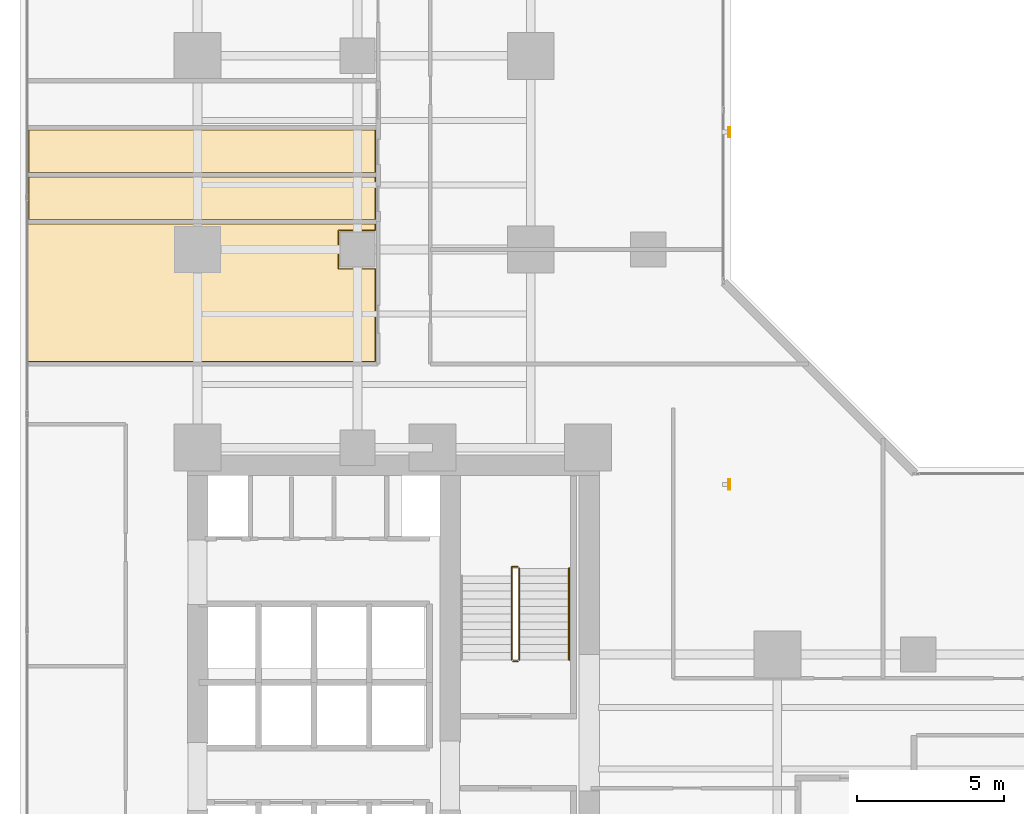
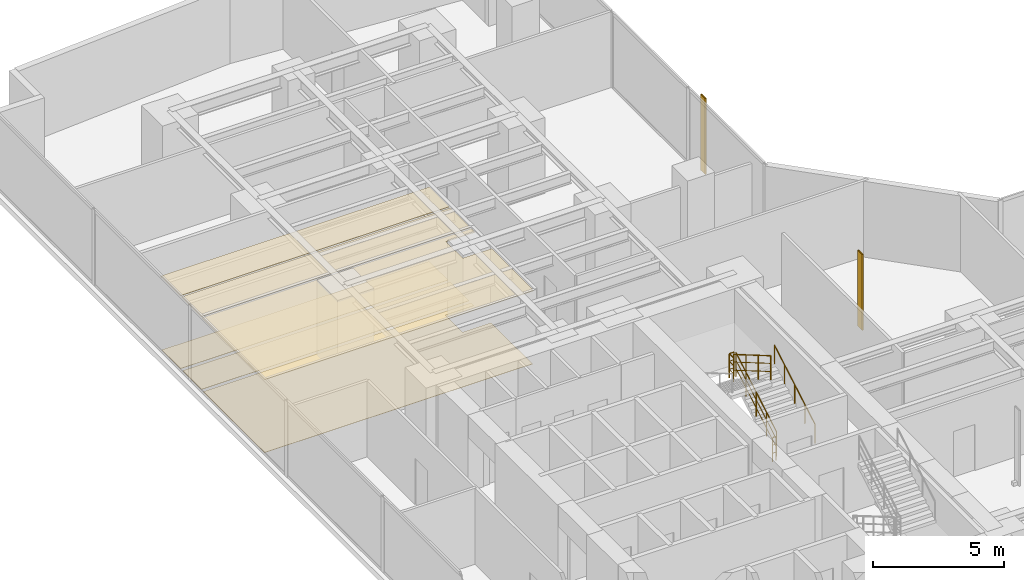
# One storey, part 26 of 26: 6 coverings, 5 railings, 2 shading devices.
"""IFC4 building model written with IfcOpenShell, lengths in metres."""

from ifc_helpers import new_model, si_unit, direction, frame, origin, origin_2d, place, context, subcontext, project, spatial, polyline, hollow_rectangle, circle, outline, extrude, material, layer, layer_set, material_profile, profile_set, type_object, element, save


model = new_model("IFC4")

# Units and contexts
model_context = context("Model", 3, precision=1e-05, world=origin(), true_north=direction((0.0, 1.0)))
body_context = subcontext(model_context, "Body", "Model", "MODEL_VIEW")
ifc_project = project(units=[si_unit("LENGTHUNIT", "METRE"), si_unit("AREAUNIT", "SQUARE_METRE"), si_unit("VOLUMEUNIT", "CUBIC_METRE"), si_unit("PLANEANGLEUNIT", "RADIAN"), si_unit("MASSUNIT", "GRAM", prefix="KILO")], contexts=[model_context])

# Site, building, storey
site_placement = place(None, origin())
site = spatial("IfcSite", under=ifc_project, at=site_placement, CompositionType="ELEMENT")
building_placement = place(site_placement, origin())
building = spatial("IfcBuilding", under=site, at=building_placement, Name="Kolvaren Waterfront Exchange", CompositionType="ELEMENT")
storey_placement = place(building_placement, frame((0.0, 0.0, 48.60009765625)))
storey = spatial("IfcBuildingStorey", under=building, at=storey_placement, Name="L12", CompositionType="ELEMENT", Elevation=48.60009765625)

# Coverings
ifc_material_1 = material(Name="Mineral fibre acoustic ceiling tile")
ifc_layer_1 = layer(ifc_material_1, 0.02490234375, Name="Mineral fibre acoustic ceiling tile")
ifc_layer_set_1 = layer_set([ifc_layer_1], Name="Mineral fibre acoustic ceiling tile")
covering_type_1 = type_object("IfcCoveringType", Name="ARC-CEIL-ACOUSTIC-25", PredefinedType="CEILING", material=ifc_layer_set_1)
covering_1_placement = place(storey_placement, frame((0.0, 0.0, 3.4248046875)))
element("IfcCovering", 1, at=covering_1_placement, inside=storey, type_object=covering_type_1, Name="L12 acoustic suspended ceiling 1", PredefinedType="CEILING", context=body_context, shape_type="SweptSolid", body=[
    extrude(outline(polyline([(13.534912109375, 30.56005859375), (12.260009765625, 30.56005859375), (12.260009765625, 31.840087890625), (13.534912109375, 31.840087890625), (13.534912109375, 32.10498046875), (1.64501953125, 32.10498046875), (1.64501953125, 27.344970703125), (13.534912109375, 27.344970703125), (13.534912109375, 30.56005859375)])), origin(), (0.0, 0.0, 1.0), 0.025146484375),
])
covering_2_placement = place(storey_placement, frame((0.0, 0.0, 3.4248046875)))
element("IfcCovering", 2, at=covering_2_placement, inside=storey, type_object=covering_type_1, Name="L12 acoustic suspended ceiling 2", PredefinedType="CEILING", context=body_context, shape_type="SweptSolid", body=[
    extrude(outline(polyline([(13.534912109375, 32.195068359375), (13.534912109375, 33.705078125), (1.6650390625, 33.705078125), (1.6650390625, 32.195068359375), (13.534912109375, 32.195068359375)])), origin(), (0.0, 0.0, 1.0), 0.025146484375),
])
covering_3_placement = place(storey_placement, frame((0.0, 0.0, 3.4248046875)))
element("IfcCovering", 3, at=covering_3_placement, inside=storey, type_object=covering_type_1, Name="L12 acoustic suspended ceiling 3", PredefinedType="CEILING", context=body_context, shape_type="SweptSolid", body=[
    extrude(outline(polyline([(13.534912109375, 33.794921875), (13.534912109375, 35.304931640625), (1.6650390625, 35.304931640625), (1.6650390625, 33.794921875), (13.534912109375, 33.794921875)])), origin(), (0.0, 0.0, 1.0), 0.025146484375),
])

# Shading devices
ifc_material_2 = material(Name="Anodised bronze aluminium 6063-T6", Category="aluminium")
ifc_material_profile = material_profile(ifc_material_2, hollow_rectangle(XDim=0.06005859375, YDim=0.35009765625, WallThickness=0.0048828125, at=origin_2d()), Name="BRZ-FIN-350x60x5")
ifc_profile_set = profile_set([ifc_material_profile], Name="Anodised bronze aluminium 6063-T6")
shading_device_type = type_object("IfcShadingDeviceType", Name="ARC-FIN-350", PredefinedType="USERDEFINED", material=ifc_profile_set)
for number, where, z_axis, x_axis, name in (
    (4, (25.56005859375, 23.199951171875, 0.0), (0.0, 0.0, 1.0), (1.0, 0.0, 0.0), "L12 anodised bronze solar shading fin FIN-L12-E2"),
    (5, (25.56005859375, 35.199951171875, 0.0), (0.0, 0.0, 1.0), (1.0, 0.0, 0.0), "L12 anodised bronze solar shading fin FIN-L12-E3"),
):
    element("IfcShadingDevice", number, at=place(storey_placement, frame(where, z_axis=z_axis, x_axis=x_axis)), inside=storey, type_object=shading_device_type, Name=name, ObjectType="SOLAR FIN", PredefinedType="USERDEFINED", context=body_context, shape_type="SweptSolid", body=[
        extrude(hollow_rectangle(XDim=0.06005859375, YDim=0.35009765625, WallThickness=0.0048828125, at=origin_2d()), origin(), (0.0, 0.0, 1.0), 3.539794921875),
    ])

# Coverings
ifc_material_3 = material(Name="Slip-resistant porcelain tile")
ifc_layer_2 = layer(ifc_material_3, 0.014892578125, Name="Slip-resistant porcelain tile")
ifc_layer_set_2 = layer_set([ifc_layer_2], Name="Slip-resistant porcelain tile")
covering_type_2 = type_object("IfcCoveringType", Name="ARC-FLR-PORC-15", PredefinedType="FLOORING", material=ifc_layer_set_2)
covering_4_placement = place(storey_placement, origin())
element("IfcCovering", 6, at=covering_4_placement, inside=storey, type_object=covering_type_2, Name="L12 floor finish 1", PredefinedType="FLOORING", context=body_context, shape_type="SweptSolid", body=[
    extrude(outline(polyline([(1.679931640625, 32.070068359375), (1.679931640625, 27.3798828125), (13.5, 27.3798828125), (13.5, 30.5400390625), (12.239990234375, 30.5400390625), (12.239990234375, 31.860107421875), (13.5, 31.860107421875), (13.5, 32.070068359375), (1.679931640625, 32.070068359375)])), origin(), (0.0, 0.0, 1.0), 0.014892578125),
])
covering_5_placement = place(storey_placement, origin())
element("IfcCovering", 7, at=covering_5_placement, inside=storey, type_object=covering_type_2, Name="L12 floor finish 2", PredefinedType="FLOORING", context=body_context, shape_type="SweptSolid", body=[
    extrude(outline(polyline([(1.699951171875, 33.669921875), (1.699951171875, 32.22998046875), (13.5, 32.22998046875), (13.5, 33.669921875), (1.699951171875, 33.669921875)])), origin(), (0.0, 0.0, 1.0), 0.014892578125),
])
covering_6_placement = place(storey_placement, origin())
element("IfcCovering", 8, at=covering_6_placement, inside=storey, type_object=covering_type_2, Name="L12 floor finish 3", PredefinedType="FLOORING", context=body_context, shape_type="SweptSolid", body=[
    extrude(outline(polyline([(1.699951171875, 35.27001953125), (1.699951171875, 33.830078125), (13.5, 33.830078125), (13.5, 35.27001953125), (1.699951171875, 35.27001953125)])), origin(), (0.0, 0.0, 1.0), 0.014892578125),
])

# Railings
ifc_material_4 = material(Name="Stainless steel 316", Category="steel")
railing_type_1 = type_object("IfcRailingType", Name="ARC-GUARD-STAIR", PredefinedType="GUARDRAIL", material=ifc_material_4)
railing_1_placement = place(storey_placement, frame((18.409912109375, 17.219970703125, 0.15185546875)))
element("IfcRailing", 9, at=railing_1_placement, inside=storey, type_object=railing_type_1, Name="L12 ST2 stair guard 1", PredefinedType="GUARDRAIL", context=body_context, shape_type="SweptSolid", body=[
    extrude(circle(Radius=0.02392578125, at=origin_2d()), frame((0.0, 0.0, 1.1259765625), z_axis=(0.0, 0.86330811405, 0.504677223793), x_axis=(-1.0, 0.0, 0.0)), (0.0, 0.0, 1.0), 3.6142578125),
    extrude(circle(Radius=0.01611328125, at=origin_2d()), frame((0.0, 0.0, 0.390869140625), z_axis=(0.0, 0.86330811405, 0.504677223793), x_axis=(-1.0, 0.0, 0.0)), (0.0, 0.0, 1.0), 3.6142578125),
    extrude(circle(Radius=0.01611328125, at=origin_2d()), frame((0.0, 0.0, 0.7705078125), z_axis=(0.0, 0.86330811405, 0.504677223793), x_axis=(-1.0, 0.0, 0.0)), (0.0, 0.0, 1.0), 3.6142578125),
    extrude(circle(Radius=0.02099609375, at=origin_2d()), origin(), (0.0, 0.0, 1.0), 1.101806640625),
    extrude(circle(Radius=0.02099609375, at=origin_2d()), frame((0.0, 0.780029296875, 0.4560546875)), (0.0, 0.0, 1.0), 1.101806640625),
    extrude(circle(Radius=0.02099609375, at=origin_2d()), frame((0.0, 1.56005859375, 0.912109375)), (0.0, 0.0, 1.0), 1.101806640625),
    extrude(circle(Radius=0.02099609375, at=origin_2d()), frame((0.0, 2.340087890625, 1.367919921875)), (0.0, 0.0, 1.0), 1.101806640625),
    extrude(circle(Radius=0.02099609375, at=origin_2d()), frame((0.0, 3.1201171875, 1.823974609375)), (0.0, 0.0, 1.0), 1.101806640625),
])
railing_2_placement = place(storey_placement, frame((18.360107421875, 20.389892578125, 1.975830078125)))
element("IfcRailing", 10, at=railing_2_placement, inside=storey, type_object=railing_type_1, Name="L12 ST2 stair guard 2", PredefinedType="GUARDRAIL", context=body_context, shape_type="SweptSolid", body=[
    extrude(circle(Radius=0.02392578125, at=origin_2d()), frame((0.0, 0.0, 1.1259765625), z_axis=(-1.0, 0.0, 0.0), x_axis=(0.0, -1.0, 0.0)), (0.0, 0.0, 1.0), 0.210205078125),
    extrude(circle(Radius=0.01611328125, at=origin_2d()), frame((0.0, 0.0, 0.390869140625), z_axis=(-1.0, 0.0, 0.0), x_axis=(0.0, -1.0, 0.0)), (0.0, 0.0, 1.0), 0.210205078125),
    extrude(circle(Radius=0.01611328125, at=origin_2d()), frame((0.0, 0.0, 0.7705078125), z_axis=(-1.0, 0.0, 0.0), x_axis=(0.0, -1.0, 0.0)), (0.0, 0.0, 1.0), 0.210205078125),
    extrude(circle(Radius=0.02392578125, at=origin_2d()), frame((-0.210205078125, 0.0, 1.1259765625), z_axis=(0.0, -1.0, 0.0), x_axis=(1.0, 0.0, 0.0)), (0.0, 0.0, 1.0), 0.309814453125),
    extrude(circle(Radius=0.01611328125, at=origin_2d()), frame((-0.210205078125, 0.0, 0.390869140625), z_axis=(0.0, -1.0, 0.0), x_axis=(1.0, 0.0, 0.0)), (0.0, 0.0, 1.0), 0.309814453125),
    extrude(circle(Radius=0.01611328125, at=origin_2d()), frame((-0.210205078125, 0.0, 0.7705078125), z_axis=(0.0, -1.0, 0.0), x_axis=(1.0, 0.0, 0.0)), (0.0, 0.0, 1.0), 0.309814453125),
    extrude(circle(Radius=0.02099609375, at=origin_2d()), origin(), (0.0, 0.0, 1.0), 1.101806640625),
    extrude(circle(Radius=0.02099609375, at=origin_2d()), frame((-0.210205078125, 0.0, 0.0)), (0.0, 0.0, 1.0), 1.101806640625),
    extrude(circle(Radius=0.02099609375, at=origin_2d()), frame((-0.210205078125, -0.309814453125, 0.0)), (0.0, 0.0, 1.0), 1.101806640625),
])
railing_3_placement = place(storey_placement, frame((18.14990234375, 20.080078125, 2.1279296875)))
element("IfcRailing", 11, at=railing_3_placement, inside=storey, type_object=railing_type_1, Name="L12 ST2 stair guard 3", PredefinedType="GUARDRAIL", context=body_context, shape_type="SweptSolid", body=[
    extrude(circle(Radius=0.02392578125, at=origin_2d()), frame((0.0, 0.0, 1.1259765625), z_axis=(0.0, -0.863321491973, 0.504654338629), x_axis=(1.0, 0.0, 0.0)), (0.0, 0.0, 1.0), 3.31298828125),
    extrude(circle(Radius=0.01611328125, at=origin_2d()), frame((0.0, 0.0, 0.390869140625), z_axis=(0.0, -0.863321491973, 0.504654338629), x_axis=(1.0, 0.0, 0.0)), (0.0, 0.0, 1.0), 3.31298828125),
    extrude(circle(Radius=0.01611328125, at=origin_2d()), frame((0.0, 0.0, 0.7705078125), z_axis=(0.0, -0.863321491973, 0.504654338629), x_axis=(1.0, 0.0, 0.0)), (0.0, 0.0, 1.0), 3.31298828125),
    extrude(circle(Radius=0.02099609375, at=origin_2d()), origin(), (0.0, 0.0, 1.0), 1.101806640625),
    extrude(circle(Radius=0.02099609375, at=origin_2d()), frame((0.0, -0.953369140625, 0.557373046875)), (0.0, 0.0, 1.0), 1.101806640625),
    extrude(circle(Radius=0.02099609375, at=origin_2d()), frame((0.0, -1.90673828125, 1.114501953125)), (0.0, 0.0, 1.0), 1.101806640625),
    extrude(circle(Radius=0.02099609375, at=origin_2d()), frame((0.0, -2.860107421875, 1.671875)), (0.0, 0.0, 1.0), 1.101806640625),
])
railing_4_placement = place(storey_placement, frame((18.360107421875, 17.169921875, 0.0)))
element("IfcRailing", 12, at=railing_4_placement, inside=storey, type_object=railing_type_1, Name="L12 ST2 stair guard 4", PredefinedType="GUARDRAIL", context=body_context, shape_type="SweptSolid", body=[
    extrude(circle(Radius=0.02392578125, at=origin_2d()), frame((0.0, 0.0, 1.1259765625), z_axis=(-1.0, 0.0, 0.0), x_axis=(0.0, -1.0, 0.0)), (0.0, 0.0, 1.0), 0.16015625),
    extrude(circle(Radius=0.01611328125, at=origin_2d()), frame((0.0, 0.0, 0.390869140625), z_axis=(-1.0, 0.0, 0.0), x_axis=(0.0, -1.0, 0.0)), (0.0, 0.0, 1.0), 0.16015625),
    extrude(circle(Radius=0.01611328125, at=origin_2d()), frame((0.0, 0.0, 0.7705078125), z_axis=(-1.0, 0.0, 0.0), x_axis=(0.0, -1.0, 0.0)), (0.0, 0.0, 1.0), 0.16015625),
    extrude(circle(Radius=0.02099609375, at=origin_2d()), origin(), (0.0, 0.0, 1.0), 1.101806640625),
    extrude(circle(Radius=0.02099609375, at=origin_2d()), frame((-0.16015625, 0.0, 0.0)), (0.0, 0.0, 1.0), 1.101806640625),
])
railing_type_2 = type_object("IfcRailingType", Name="ARC-HANDRAIL-900", PredefinedType="HANDRAIL", material=ifc_material_4)
railing_5_placement = place(storey_placement, frame((20.110107421875, 17.219970703125, 0.15185546875)))
element("IfcRailing", 13, at=railing_5_placement, inside=storey, type_object=railing_type_2, Name="L12 ST2 stair handrail 1", PredefinedType="HANDRAIL", context=body_context, shape_type="SweptSolid", body=[
    extrude(circle(Radius=0.02392578125, at=origin_2d()), frame((0.0, 0.0, 0.8759765625), z_axis=(0.0, 0.86330811405, 0.504677223793), x_axis=(-1.0, 0.0, 0.0)), (0.0, 0.0, 1.0), 3.6142578125),
    extrude(circle(Radius=0.02099609375, at=origin_2d()), origin(), (0.0, 0.0, 1.0), 0.851806640625),
    extrude(circle(Radius=0.02099609375, at=origin_2d()), frame((0.0, 0.780029296875, 0.4560546875)), (0.0, 0.0, 1.0), 0.851806640625),
    extrude(circle(Radius=0.02099609375, at=origin_2d()), frame((0.0, 1.56005859375, 0.912109375)), (0.0, 0.0, 1.0), 0.851806640625),
    extrude(circle(Radius=0.02099609375, at=origin_2d()), frame((0.0, 2.340087890625, 1.367919921875)), (0.0, 0.0, 1.0), 0.851806640625),
    extrude(circle(Radius=0.02099609375, at=origin_2d()), frame((0.0, 3.1201171875, 1.823974609375)), (0.0, 0.0, 1.0), 0.851806640625),
])

save(model, "model.ifc")
